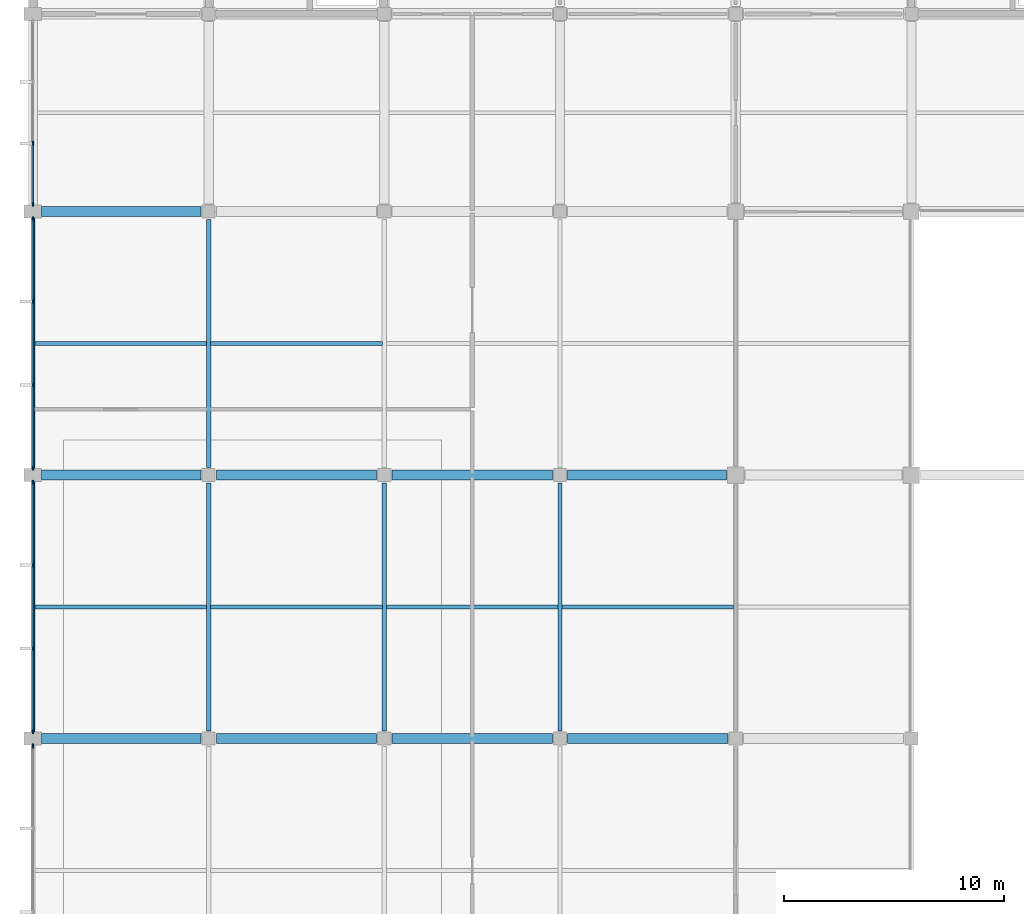
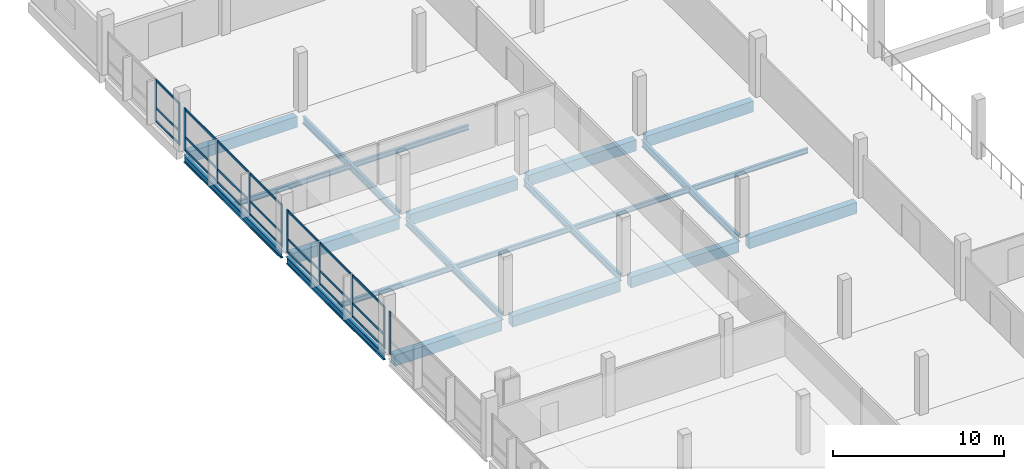
# One storey, part 11 of 57: 32 members, 21 beams, 4 elements without a shape of their own.
"""IFC4 building model written with IfcOpenShell, lengths in metres."""

from ifc_helpers import new_model, si_unit, direction, frame, origin, origin_2d, place, context, subcontext, project, spatial, rectangle, i_section, extrude, material, material_profile, profile_set, type_object, element, aggregate, save


model = new_model("IFC4")

# Units and contexts
model_context = context("Model", 3, precision=1e-05, world=origin(), true_north=direction((0.0, 1.0)))
body_context = subcontext(model_context, "Body", "Model", "MODEL_VIEW")
ifc_project = project(units=[si_unit("LENGTHUNIT", "METRE"), si_unit("AREAUNIT", "SQUARE_METRE"), si_unit("VOLUMEUNIT", "CUBIC_METRE"), si_unit("PLANEANGLEUNIT", "RADIAN"), si_unit("MASSUNIT", "GRAM", prefix="KILO"), si_unit("THERMODYNAMICTEMPERATUREUNIT", "KELVIN"), si_unit("POWERUNIT", "WATT")], contexts=[model_context])

# Site, building, storey
site_placement = place(None, origin())
site = spatial("IfcSite", under=ifc_project, at=site_placement, CompositionType="ELEMENT")
building_placement = place(site_placement, origin())
building = spatial("IfcBuilding", under=site, at=building_placement, Name="Kronsvod Quay Wholesale Market", CompositionType="ELEMENT")
storey_placement = place(building_placement, frame((0.0, 0.0, 4.800048828125)))
storey = spatial("IfcBuildingStorey", under=building, at=storey_placement, Name="L01", CompositionType="ELEMENT", Elevation=4.800048828125)

# Beams
ifc_material_1 = material(Name="Precast concrete C40/50", Category="concrete")
ifc_material_profile_1 = material_profile(ifc_material_1, rectangle(XDim=0.4599609375, YDim=0.780029296875, at=origin_2d()), Name="PB-03")
ifc_profile_set_1 = profile_set([ifc_material_profile_1], Name="Precast concrete C40/50")
beam_type_1 = type_object("IfcBeamType", Name="Beam_PCB460x780", PredefinedType="BEAM", material=ifc_profile_set_1)
beam_1_placement = place(storey_placement, frame((0.39990234375, 66.0, -0.68994140625), z_axis=(1.0, 0.0, 0.0), x_axis=(0.0, 1.0, 0.0)))
element("IfcBeam", 1, at=beam_1_placement, inside=storey, type_object=beam_type_1, Name="BMX-L01-0-660", PredefinedType="BEAM", context=body_context, shape_type="SweptSolid", body=[
    extrude(rectangle(XDim=0.4599609375, YDim=0.780029296875, at=origin_2d()), origin(), (0.0, 0.0, 1.0), 7.25),
])
for number, where, z_axis, x_axis, name in (
    (2, (8.35009765625, 66.0, -0.68994140625), (1.0, 0.0, 0.0), (0.0, 1.0, 0.0), "BMX-L01-80-660"),
    (3, (16.35009765625, 66.0, -0.68994140625), (1.0, 0.0, 0.0), (0.0, 1.0, 0.0), "BMX-L01-160-660"),
    (4, (24.35009765625, 66.0, -0.68994140625), (1.0, 0.0, 0.0), (0.0, 1.0, 0.0), "BMX-L01-240-660"),
):
    element("IfcBeam", number, at=place(storey_placement, frame(where, z_axis=z_axis, x_axis=x_axis)), inside=storey, type_object=beam_type_1, Name=name, PredefinedType="BEAM", context=body_context, shape_type="SweptSolid", body=[
        extrude(rectangle(XDim=0.4599609375, YDim=0.780029296875, at=origin_2d()), origin(), (0.0, 0.0, 1.0), 7.2998046875),
    ])
beam_2_placement = place(storey_placement, frame((0.39990234375, 78.0, -0.68994140625), z_axis=(1.0, 0.0, 0.0), x_axis=(0.0, 1.0, 0.0)))
element("IfcBeam", 5, at=beam_2_placement, inside=storey, type_object=beam_type_1, Name="BMX-L01-0-780", PredefinedType="BEAM", context=body_context, shape_type="SweptSolid", body=[
    extrude(rectangle(XDim=0.4599609375, YDim=0.780029296875, at=origin_2d()), origin(), (0.0, 0.0, 1.0), 7.25),
])
for number, where, z_axis, x_axis, name in (
    (6, (8.35009765625, 78.0, -0.68994140625), (1.0, 0.0, 0.0), (0.0, 1.0, 0.0), "BMX-L01-80-780"),
    (7, (16.35009765625, 78.0, -0.68994140625), (1.0, 0.0, 0.0), (0.0, 1.0, 0.0), "BMX-L01-160-780"),
):
    element("IfcBeam", number, at=place(storey_placement, frame(where, z_axis=z_axis, x_axis=x_axis)), inside=storey, type_object=beam_type_1, Name=name, PredefinedType="BEAM", context=body_context, shape_type="SweptSolid", body=[
        extrude(rectangle(XDim=0.4599609375, YDim=0.780029296875, at=origin_2d()), origin(), (0.0, 0.0, 1.0), 7.2998046875),
    ])
beam_3_placement = place(storey_placement, frame((24.35009765625, 78.0, -0.68994140625), z_axis=(1.0, 0.0, 0.0), x_axis=(0.0, 1.0, 0.0)))
element("IfcBeam", 8, at=beam_3_placement, inside=storey, type_object=beam_type_1, Name="BMX-L01-240-780", PredefinedType="BEAM", context=body_context, shape_type="SweptSolid", body=[
    extrude(rectangle(XDim=0.4599609375, YDim=0.780029296875, at=origin_2d()), origin(), (0.0, 0.0, 1.0), 7.224853515625),
])
beam_4_placement = place(storey_placement, frame((0.39990234375, 90.0, -0.68994140625), z_axis=(1.0, 0.0, 0.0), x_axis=(0.0, 1.0, 0.0)))
element("IfcBeam", 9, at=beam_4_placement, inside=storey, type_object=beam_type_1, Name="BMX-L01-0-900", PredefinedType="BEAM", context=body_context, shape_type="SweptSolid", body=[
    extrude(rectangle(XDim=0.4599609375, YDim=0.780029296875, at=origin_2d()), origin(), (0.0, 0.0, 1.0), 7.25),
])
ifc_material_2 = material(Name="Steel S355", Category="steel")
ifc_material_profile_2 = material_profile(ifc_material_2, i_section(OverallWidth=0.198974609375, OverallDepth=0.49609375, WebThickness=0.009033203125, FlangeThickness=0.013916015625, FilletRadius=0.02001953125, at=origin_2d()), Name="50B1")
ifc_profile_set_2 = profile_set([ifc_material_profile_2], Name="Steel S355")
beam_type_2 = type_object("IfcBeamType", Name="Girder_Steel50B1", PredefinedType="T_BEAM", material=ifc_profile_set_2)
for number, where, z_axis, x_axis, name in (
    (10, (0.0, 66.300048828125, -0.548095703125), (0.0, 1.0, 0.0), (-1.0, 0.0, 0.0), "BMY-L01-0-660"),
    (11, (0.0, 78.300048828125, -0.548095703125), (0.0, 1.0, 0.0), (-1.0, 0.0, 0.0), "BMY-L01-0-780"),
):
    element("IfcBeam", number, at=place(storey_placement, frame(where, z_axis=z_axis, x_axis=x_axis)), inside=storey, type_object=beam_type_2, Name=name, PredefinedType="T_BEAM", context=body_context, shape_type="SweptSolid", body=[
        extrude(i_section(OverallWidth=0.198974609375, OverallDepth=0.49609375, WebThickness=0.009033203125, FlangeThickness=0.013916015625, FilletRadius=0.02001953125, at=origin_2d()), origin(), (0.0, 0.0, 1.0), 11.39990234375),
    ])
for number, where, z_axis, x_axis, name in (
    (12, (8.0, 66.35009765625, -0.548095703125), (0.0, 1.0, 0.0), (-1.0, 0.0, 0.0), "BMY-L01-80-660"),
    (13, (8.0, 78.35009765625, -0.548095703125), (0.0, 1.0, 0.0), (-1.0, 0.0, 0.0), "BMY-L01-80-780"),
    (14, (16.0, 66.35009765625, -0.548095703125), (0.0, 1.0, 0.0), (-1.0, 0.0, 0.0), "BMY-L01-160-660"),
    (15, (24.0, 66.35009765625, -0.548095703125), (0.0, 1.0, 0.0), (-1.0, 0.0, 0.0), "BMY-L01-240-660"),
):
    element("IfcBeam", number, at=place(storey_placement, frame(where, z_axis=z_axis, x_axis=x_axis)), inside=storey, type_object=beam_type_2, Name=name, PredefinedType="T_BEAM", context=body_context, shape_type="SweptSolid", body=[
        extrude(i_section(OverallWidth=0.198974609375, OverallDepth=0.49609375, WebThickness=0.009033203125, FlangeThickness=0.013916015625, FilletRadius=0.02001953125, at=origin_2d()), origin(), (0.0, 0.0, 1.0), 11.2998046875),
    ])
ifc_material_3 = material(Name="Steel S355", Category="steel")
ifc_material_profile_3 = material_profile(ifc_material_3, i_section(OverallWidth=0.175048828125, OverallDepth=0.35009765625, WebThickness=0.007080078125, FlangeThickness=0.010986328125, FilletRadius=0.013916015625, at=origin_2d()), Name="35B2")
ifc_profile_set_3 = profile_set([ifc_material_profile_3], Name="Steel S355")
beam_type_3 = type_object("IfcBeamType", Name="Joist_Steel35B2", PredefinedType="JOIST", material=ifc_profile_set_3)
for number, where, z_axis, x_axis, name in (
    (16, (0.094482421875, 72.0, -0.425048828125), (1.0, 0.0, 0.0), (0.0, 1.0, 0.0), "JSTX-L01-0-660"),
    (17, (0.094482421875, 84.0, -0.425048828125), (1.0, 0.0, 0.0), (0.0, 1.0, 0.0), "JSTX-L01-0-780"),
    (18, (8.094482421875, 72.0, -0.425048828125), (1.0, 0.0, 0.0), (0.0, 1.0, 0.0), "JSTX-L01-80-660"),
    (19, (8.094482421875, 84.0, -0.425048828125), (1.0, 0.0, 0.0), (0.0, 1.0, 0.0), "JSTX-L01-80-780"),
    (20, (16.094482421875, 72.0, -0.425048828125), (1.0, 0.0, 0.0), (0.0, 1.0, 0.0), "JSTX-L01-160-660"),
    (21, (24.094482421875, 72.0, -0.425048828125), (1.0, 0.0, 0.0), (0.0, 1.0, 0.0), "JSTX-L01-240-660"),
):
    element("IfcBeam", number, at=place(storey_placement, frame(where, z_axis=z_axis, x_axis=x_axis)), inside=storey, type_object=beam_type_3, Name=name, PredefinedType="JOIST", context=body_context, shape_type="SweptSolid", body=[
        extrude(i_section(OverallWidth=0.175048828125, OverallDepth=0.35009765625, WebThickness=0.007080078125, FlangeThickness=0.010986328125, FilletRadius=0.013916015625, at=origin_2d()), origin(), (0.0, 0.0, 1.0), 7.81103515625),
    ])

# Curtain wall, member
ifc_material_4 = material(Name="Thermally broken aluminium and triple low-E glazing", Category="aluminium")
curtain_wall_type_1 = type_object("IfcCurtainWallType", Name="CW_WestLab90x37", PredefinedType="NOTDEFINED", material=ifc_material_4)
curtain_wall_1_placement = place(storey_placement, origin())
curtain_wall_1 = element("IfcCurtainWall", 22, at=curtain_wall_1_placement, inside=storey, type_object=curtain_wall_type_1, Name="CWGY-L01-0-540", PredefinedType="NOTDEFINED")
ifc_material_5 = material(Name="Anodised aluminium", Category="aluminium")
ifc_material_profile_4 = material_profile(ifc_material_5, rectangle(XDim=0.074951171875, YDim=0.199951171875, at=origin_2d()), Name="ALUM75x200")
ifc_profile_set_4 = profile_set([ifc_material_profile_4], Name="Anodised aluminium")
member_type_1 = type_object("IfcMemberType", Name="Mullion_ALU75x200", PredefinedType="MULLION", material=ifc_profile_set_4)
member_1_placement = place(storey_placement, frame((0.0, 65.66748046875, 0.0), z_axis=(0.0, 0.0, 1.0), x_axis=(1.0, 0.0, 0.0)))
member_1 = element("IfcMember", 23, at=member_1_placement, type_object=member_type_1, Name="CWGY-L01-0-540-M1", PredefinedType="MULLION", context=body_context, shape_type="SweptSolid", body=[
    extrude(rectangle(XDim=0.074951171875, YDim=0.199951171875, at=origin_2d()), origin(), (0.0, 0.0, 1.0), 3.050048828125),
])
aggregate(curtain_wall_1, [member_1])

# Curtain wall, members
curtain_wall_2_placement = place(storey_placement, origin())
curtain_wall_2 = element("IfcCurtainWall", 24, at=curtain_wall_2_placement, inside=storey, type_object=curtain_wall_type_1, Name="CWGY-L01-0-660", PredefinedType="NOTDEFINED")
member_2_placement = place(storey_placement, frame((0.0, 77.66748046875, 0.0), z_axis=(0.0, 0.0, 1.0), x_axis=(1.0, 0.0, 0.0)))
member_2 = element("IfcMember", 25, at=member_2_placement, type_object=member_type_1, Name="CWGY-L01-0-660-M1", PredefinedType="MULLION", context=body_context, shape_type="SweptSolid", body=[
    extrude(rectangle(XDim=0.074951171875, YDim=0.199951171875, at=origin_2d()), origin(), (0.0, 0.0, 1.0), 3.050048828125),
])
member_3_placement = place(storey_placement, frame((0.0, 73.901611328125, 0.0), z_axis=(0.0, 0.0, 1.0), x_axis=(1.0, 0.0, 0.0)))
member_3 = element("IfcMember", 26, at=member_3_placement, type_object=member_type_1, Name="CWGY-L01-0-660-M2", PredefinedType="MULLION", context=body_context, shape_type="SweptSolid", body=[
    extrude(rectangle(XDim=0.074951171875, YDim=0.199951171875, at=origin_2d()), origin(), (0.0, 0.0, 1.0), 3.050048828125),
])
member_4_placement = place(storey_placement, frame((0.0, 70.098388671875, 0.0), z_axis=(0.0, 0.0, 1.0), x_axis=(1.0, 0.0, 0.0)))
member_4 = element("IfcMember", 27, at=member_4_placement, type_object=member_type_1, Name="CWGY-L01-0-660-M3", PredefinedType="MULLION", context=body_context, shape_type="SweptSolid", body=[
    extrude(rectangle(XDim=0.074951171875, YDim=0.199951171875, at=origin_2d()), origin(), (0.0, 0.0, 1.0), 3.050048828125),
])
member_5_placement = place(storey_placement, frame((0.0, 66.33251953125, 0.0), z_axis=(0.0, 0.0, 1.0), x_axis=(1.0, 0.0, 0.0)))
member_5 = element("IfcMember", 28, at=member_5_placement, type_object=member_type_1, Name="CWGY-L01-0-660-M4", PredefinedType="MULLION", context=body_context, shape_type="SweptSolid", body=[
    extrude(rectangle(XDim=0.074951171875, YDim=0.199951171875, at=origin_2d()), origin(), (0.0, 0.0, 1.0), 3.050048828125),
])

curtain_wall_3_placement = place(storey_placement, origin())
curtain_wall_3 = element("IfcCurtainWall", 29, at=curtain_wall_3_placement, inside=storey, type_object=curtain_wall_type_1, Name="CWGY-L01-0-780", PredefinedType="NOTDEFINED")
member_6_placement = place(storey_placement, frame((0.0, 89.66748046875, 0.0), z_axis=(0.0, 0.0, 1.0), x_axis=(1.0, 0.0, 0.0)))
member_6 = element("IfcMember", 30, at=member_6_placement, type_object=member_type_1, Name="CWGY-L01-0-780-M1", PredefinedType="MULLION", context=body_context, shape_type="SweptSolid", body=[
    extrude(rectangle(XDim=0.074951171875, YDim=0.199951171875, at=origin_2d()), origin(), (0.0, 0.0, 1.0), 3.050048828125),
])
member_7_placement = place(storey_placement, frame((0.0, 85.901611328125, 0.0), z_axis=(0.0, 0.0, 1.0), x_axis=(1.0, 0.0, 0.0)))
member_7 = element("IfcMember", 31, at=member_7_placement, type_object=member_type_1, Name="CWGY-L01-0-780-M2", PredefinedType="MULLION", context=body_context, shape_type="SweptSolid", body=[
    extrude(rectangle(XDim=0.074951171875, YDim=0.199951171875, at=origin_2d()), origin(), (0.0, 0.0, 1.0), 3.050048828125),
])
member_8_placement = place(storey_placement, frame((0.0, 82.098388671875, 0.0), z_axis=(0.0, 0.0, 1.0), x_axis=(1.0, 0.0, 0.0)))
member_8 = element("IfcMember", 32, at=member_8_placement, type_object=member_type_1, Name="CWGY-L01-0-780-M3", PredefinedType="MULLION", context=body_context, shape_type="SweptSolid", body=[
    extrude(rectangle(XDim=0.074951171875, YDim=0.199951171875, at=origin_2d()), origin(), (0.0, 0.0, 1.0), 3.050048828125),
])
member_9_placement = place(storey_placement, frame((0.0, 78.33251953125, 0.0), z_axis=(0.0, 0.0, 1.0), x_axis=(1.0, 0.0, 0.0)))
member_9 = element("IfcMember", 33, at=member_9_placement, type_object=member_type_1, Name="CWGY-L01-0-780-M4", PredefinedType="MULLION", context=body_context, shape_type="SweptSolid", body=[
    extrude(rectangle(XDim=0.074951171875, YDim=0.199951171875, at=origin_2d()), origin(), (0.0, 0.0, 1.0), 3.050048828125),
])

ifc_material_6 = material(Name="Thermally broken aluminium and triple low-E glazing", Category="aluminium")
curtain_wall_type_2 = type_object("IfcCurtainWallType", Name="CW_Wing90x33", PredefinedType="NOTDEFINED", material=ifc_material_6)
curtain_wall_4_placement = place(storey_placement, origin())
curtain_wall_4 = element("IfcCurtainWall", 34, at=curtain_wall_4_placement, inside=storey, type_object=curtain_wall_type_2, Name="CWGY-L01-0-900", PredefinedType="NOTDEFINED")
member_10_placement = place(storey_placement, frame((0.0, 93.098388671875, 0.0), z_axis=(0.0, 0.0, 1.0), x_axis=(1.0, 0.0, 0.0)))
member_10 = element("IfcMember", 35, at=member_10_placement, type_object=member_type_1, Name="CWGY-L01-0-900-M3", PredefinedType="MULLION", context=body_context, shape_type="SweptSolid", body=[
    extrude(rectangle(XDim=0.074951171875, YDim=0.199951171875, at=origin_2d()), origin(), (0.0, 0.0, 1.0), 3.050048828125),
])
member_11_placement = place(storey_placement, frame((0.0, 90.33251953125, 0.0), z_axis=(0.0, 0.0, 1.0), x_axis=(1.0, 0.0, 0.0)))
member_11 = element("IfcMember", 36, at=member_11_placement, type_object=member_type_1, Name="CWGY-L01-0-900-M4", PredefinedType="MULLION", context=body_context, shape_type="SweptSolid", body=[
    extrude(rectangle(XDim=0.074951171875, YDim=0.199951171875, at=origin_2d()), origin(), (0.0, 0.0, 1.0), 3.050048828125),
])

# Member
ifc_material_7 = material(Name="Anodised aluminium", Category="aluminium")
ifc_material_profile_5 = material_profile(ifc_material_7, rectangle(XDim=0.074951171875, YDim=0.14990234375, at=origin_2d()), Name="ALUT75x150")
ifc_profile_set_5 = profile_set([ifc_material_profile_5], Name="Anodised aluminium")
member_type_2 = type_object("IfcMemberType", Name="Transom_ALU75x150", PredefinedType="USERDEFINED", material=ifc_profile_set_5)
member_12_placement = place(storey_placement, frame((0.0, 77.6298828125, 0.074951171875), z_axis=(0.0, -1.0, 0.0), x_axis=(1.0, 0.0, 0.0)))
member_12 = element("IfcMember", 37, at=member_12_placement, type_object=member_type_2, Name="CWGY-L01-0-660-T1B1", ObjectType="TRANSOM", PredefinedType="USERDEFINED", context=body_context, shape_type="SweptSolid", body=[
    extrude(rectangle(XDim=0.074951171875, YDim=0.14990234375, at=origin_2d()), origin(), (0.0, 0.0, 1.0), 3.690673828125),
])

member_13_placement = place(storey_placement, frame((0.0, 73.8642578125, 0.074951171875), z_axis=(0.0, -1.0, 0.0), x_axis=(1.0, 0.0, 0.0)))
member_13 = element("IfcMember", 38, at=member_13_placement, type_object=member_type_2, Name="CWGY-L01-0-660-T1B2", ObjectType="TRANSOM", PredefinedType="USERDEFINED", context=body_context, shape_type="SweptSolid", body=[
    extrude(rectangle(XDim=0.074951171875, YDim=0.14990234375, at=origin_2d()), origin(), (0.0, 0.0, 1.0), 3.728515625),
])

member_14_placement = place(storey_placement, frame((0.0, 70.060791015625, 0.074951171875), z_axis=(0.0, -1.0, 0.0), x_axis=(1.0, 0.0, 0.0)))
member_14 = element("IfcMember", 39, at=member_14_placement, type_object=member_type_2, Name="CWGY-L01-0-660-T1B3", ObjectType="TRANSOM", PredefinedType="USERDEFINED", context=body_context, shape_type="SweptSolid", body=[
    extrude(rectangle(XDim=0.074951171875, YDim=0.14990234375, at=origin_2d()), origin(), (0.0, 0.0, 1.0), 3.690673828125),
])

member_15_placement = place(storey_placement, frame((0.0, 77.6298828125, 1.0), z_axis=(0.0, -1.0, 0.0), x_axis=(1.0, 0.0, 0.0)))
member_15 = element("IfcMember", 40, at=member_15_placement, type_object=member_type_2, Name="CWGY-L01-0-660-T2B1", ObjectType="TRANSOM", PredefinedType="USERDEFINED", context=body_context, shape_type="SweptSolid", body=[
    extrude(rectangle(XDim=0.074951171875, YDim=0.14990234375, at=origin_2d()), origin(), (0.0, 0.0, 1.0), 3.690673828125),
])

member_16_placement = place(storey_placement, frame((0.0, 73.8642578125, 1.0), z_axis=(0.0, -1.0, 0.0), x_axis=(1.0, 0.0, 0.0)))
member_16 = element("IfcMember", 41, at=member_16_placement, type_object=member_type_2, Name="CWGY-L01-0-660-T2B2", ObjectType="TRANSOM", PredefinedType="USERDEFINED", context=body_context, shape_type="SweptSolid", body=[
    extrude(rectangle(XDim=0.074951171875, YDim=0.14990234375, at=origin_2d()), origin(), (0.0, 0.0, 1.0), 3.728515625),
])

member_17_placement = place(storey_placement, frame((0.0, 70.060791015625, 1.0), z_axis=(0.0, -1.0, 0.0), x_axis=(1.0, 0.0, 0.0)))
member_17 = element("IfcMember", 42, at=member_17_placement, type_object=member_type_2, Name="CWGY-L01-0-660-T2B3", ObjectType="TRANSOM", PredefinedType="USERDEFINED", context=body_context, shape_type="SweptSolid", body=[
    extrude(rectangle(XDim=0.074951171875, YDim=0.14990234375, at=origin_2d()), origin(), (0.0, 0.0, 1.0), 3.690673828125),
])

member_18_placement = place(storey_placement, frame((0.0, 77.6298828125, 2.974853515625), z_axis=(0.0, -1.0, 0.0), x_axis=(1.0, 0.0, 0.0)))
member_18 = element("IfcMember", 43, at=member_18_placement, type_object=member_type_2, Name="CWGY-L01-0-660-T3B1", ObjectType="TRANSOM", PredefinedType="USERDEFINED", context=body_context, shape_type="SweptSolid", body=[
    extrude(rectangle(XDim=0.074951171875, YDim=0.14990234375, at=origin_2d()), origin(), (0.0, 0.0, 1.0), 3.690673828125),
])

member_19_placement = place(storey_placement, frame((0.0, 73.8642578125, 2.974853515625), z_axis=(0.0, -1.0, 0.0), x_axis=(1.0, 0.0, 0.0)))
member_19 = element("IfcMember", 44, at=member_19_placement, type_object=member_type_2, Name="CWGY-L01-0-660-T3B2", ObjectType="TRANSOM", PredefinedType="USERDEFINED", context=body_context, shape_type="SweptSolid", body=[
    extrude(rectangle(XDim=0.074951171875, YDim=0.14990234375, at=origin_2d()), origin(), (0.0, 0.0, 1.0), 3.728515625),
])

member_20_placement = place(storey_placement, frame((0.0, 70.060791015625, 2.974853515625), z_axis=(0.0, -1.0, 0.0), x_axis=(1.0, 0.0, 0.0)))
member_20 = element("IfcMember", 45, at=member_20_placement, type_object=member_type_2, Name="CWGY-L01-0-660-T3B3", ObjectType="TRANSOM", PredefinedType="USERDEFINED", context=body_context, shape_type="SweptSolid", body=[
    extrude(rectangle(XDim=0.074951171875, YDim=0.14990234375, at=origin_2d()), origin(), (0.0, 0.0, 1.0), 3.690673828125),
])

aggregate(curtain_wall_2, [member_2, member_3, member_4, member_5, member_12, member_13, member_14, member_15, member_16, member_17, member_18, member_19, member_20])

member_21_placement = place(storey_placement, frame((0.0, 89.6298828125, 0.074951171875), z_axis=(0.0, -1.0, 0.0), x_axis=(1.0, 0.0, 0.0)))
member_21 = element("IfcMember", 46, at=member_21_placement, type_object=member_type_2, Name="CWGY-L01-0-780-T1B1", ObjectType="TRANSOM", PredefinedType="USERDEFINED", context=body_context, shape_type="SweptSolid", body=[
    extrude(rectangle(XDim=0.074951171875, YDim=0.14990234375, at=origin_2d()), origin(), (0.0, 0.0, 1.0), 3.690673828125),
])

member_22_placement = place(storey_placement, frame((0.0, 85.8642578125, 0.074951171875), z_axis=(0.0, -1.0, 0.0), x_axis=(1.0, 0.0, 0.0)))
member_22 = element("IfcMember", 47, at=member_22_placement, type_object=member_type_2, Name="CWGY-L01-0-780-T1B2", ObjectType="TRANSOM", PredefinedType="USERDEFINED", context=body_context, shape_type="SweptSolid", body=[
    extrude(rectangle(XDim=0.074951171875, YDim=0.14990234375, at=origin_2d()), origin(), (0.0, 0.0, 1.0), 3.728515625),
])

member_23_placement = place(storey_placement, frame((0.0, 82.060791015625, 0.074951171875), z_axis=(0.0, -1.0, 0.0), x_axis=(1.0, 0.0, 0.0)))
member_23 = element("IfcMember", 48, at=member_23_placement, type_object=member_type_2, Name="CWGY-L01-0-780-T1B3", ObjectType="TRANSOM", PredefinedType="USERDEFINED", context=body_context, shape_type="SweptSolid", body=[
    extrude(rectangle(XDim=0.074951171875, YDim=0.14990234375, at=origin_2d()), origin(), (0.0, 0.0, 1.0), 3.690673828125),
])

member_24_placement = place(storey_placement, frame((0.0, 89.6298828125, 1.0), z_axis=(0.0, -1.0, 0.0), x_axis=(1.0, 0.0, 0.0)))
member_24 = element("IfcMember", 49, at=member_24_placement, type_object=member_type_2, Name="CWGY-L01-0-780-T2B1", ObjectType="TRANSOM", PredefinedType="USERDEFINED", context=body_context, shape_type="SweptSolid", body=[
    extrude(rectangle(XDim=0.074951171875, YDim=0.14990234375, at=origin_2d()), origin(), (0.0, 0.0, 1.0), 3.690673828125),
])

member_25_placement = place(storey_placement, frame((0.0, 85.8642578125, 1.0), z_axis=(0.0, -1.0, 0.0), x_axis=(1.0, 0.0, 0.0)))
member_25 = element("IfcMember", 50, at=member_25_placement, type_object=member_type_2, Name="CWGY-L01-0-780-T2B2", ObjectType="TRANSOM", PredefinedType="USERDEFINED", context=body_context, shape_type="SweptSolid", body=[
    extrude(rectangle(XDim=0.074951171875, YDim=0.14990234375, at=origin_2d()), origin(), (0.0, 0.0, 1.0), 3.728515625),
])

member_26_placement = place(storey_placement, frame((0.0, 82.060791015625, 1.0), z_axis=(0.0, -1.0, 0.0), x_axis=(1.0, 0.0, 0.0)))
member_26 = element("IfcMember", 51, at=member_26_placement, type_object=member_type_2, Name="CWGY-L01-0-780-T2B3", ObjectType="TRANSOM", PredefinedType="USERDEFINED", context=body_context, shape_type="SweptSolid", body=[
    extrude(rectangle(XDim=0.074951171875, YDim=0.14990234375, at=origin_2d()), origin(), (0.0, 0.0, 1.0), 3.690673828125),
])

member_27_placement = place(storey_placement, frame((0.0, 89.6298828125, 2.974853515625), z_axis=(0.0, -1.0, 0.0), x_axis=(1.0, 0.0, 0.0)))
member_27 = element("IfcMember", 52, at=member_27_placement, type_object=member_type_2, Name="CWGY-L01-0-780-T3B1", ObjectType="TRANSOM", PredefinedType="USERDEFINED", context=body_context, shape_type="SweptSolid", body=[
    extrude(rectangle(XDim=0.074951171875, YDim=0.14990234375, at=origin_2d()), origin(), (0.0, 0.0, 1.0), 3.690673828125),
])

member_28_placement = place(storey_placement, frame((0.0, 85.8642578125, 2.974853515625), z_axis=(0.0, -1.0, 0.0), x_axis=(1.0, 0.0, 0.0)))
member_28 = element("IfcMember", 53, at=member_28_placement, type_object=member_type_2, Name="CWGY-L01-0-780-T3B2", ObjectType="TRANSOM", PredefinedType="USERDEFINED", context=body_context, shape_type="SweptSolid", body=[
    extrude(rectangle(XDim=0.074951171875, YDim=0.14990234375, at=origin_2d()), origin(), (0.0, 0.0, 1.0), 3.728515625),
])

member_29_placement = place(storey_placement, frame((0.0, 82.060791015625, 2.974853515625), z_axis=(0.0, -1.0, 0.0), x_axis=(1.0, 0.0, 0.0)))
member_29 = element("IfcMember", 54, at=member_29_placement, type_object=member_type_2, Name="CWGY-L01-0-780-T3B3", ObjectType="TRANSOM", PredefinedType="USERDEFINED", context=body_context, shape_type="SweptSolid", body=[
    extrude(rectangle(XDim=0.074951171875, YDim=0.14990234375, at=origin_2d()), origin(), (0.0, 0.0, 1.0), 3.690673828125),
])

aggregate(curtain_wall_3, [member_6, member_7, member_8, member_9, member_21, member_22, member_23, member_24, member_25, member_26, member_27, member_28, member_29])

member_30_placement = place(storey_placement, frame((0.0, 93.060791015625, 0.074951171875), z_axis=(0.0, -1.0, 0.0), x_axis=(1.0, 0.0, 0.0)))
member_30 = element("IfcMember", 55, at=member_30_placement, type_object=member_type_2, Name="CWGY-L01-0-900-T1B3", ObjectType="TRANSOM", PredefinedType="USERDEFINED", context=body_context, shape_type="SweptSolid", body=[
    extrude(rectangle(XDim=0.074951171875, YDim=0.14990234375, at=origin_2d()), origin(), (0.0, 0.0, 1.0), 2.690673828125),
])

member_31_placement = place(storey_placement, frame((0.0, 93.060791015625, 1.0), z_axis=(0.0, -1.0, 0.0), x_axis=(1.0, 0.0, 0.0)))
member_31 = element("IfcMember", 56, at=member_31_placement, type_object=member_type_2, Name="CWGY-L01-0-900-T2B3", ObjectType="TRANSOM", PredefinedType="USERDEFINED", context=body_context, shape_type="SweptSolid", body=[
    extrude(rectangle(XDim=0.074951171875, YDim=0.14990234375, at=origin_2d()), origin(), (0.0, 0.0, 1.0), 2.690673828125),
])

member_32_placement = place(storey_placement, frame((0.0, 93.060791015625, 2.974853515625), z_axis=(0.0, -1.0, 0.0), x_axis=(1.0, 0.0, 0.0)))
member_32 = element("IfcMember", 57, at=member_32_placement, type_object=member_type_2, Name="CWGY-L01-0-900-T3B3", ObjectType="TRANSOM", PredefinedType="USERDEFINED", context=body_context, shape_type="SweptSolid", body=[
    extrude(rectangle(XDim=0.074951171875, YDim=0.14990234375, at=origin_2d()), origin(), (0.0, 0.0, 1.0), 2.690673828125),
])

aggregate(curtain_wall_4, [member_10, member_11, member_30, member_31, member_32])

save(model, "model.ifc")
